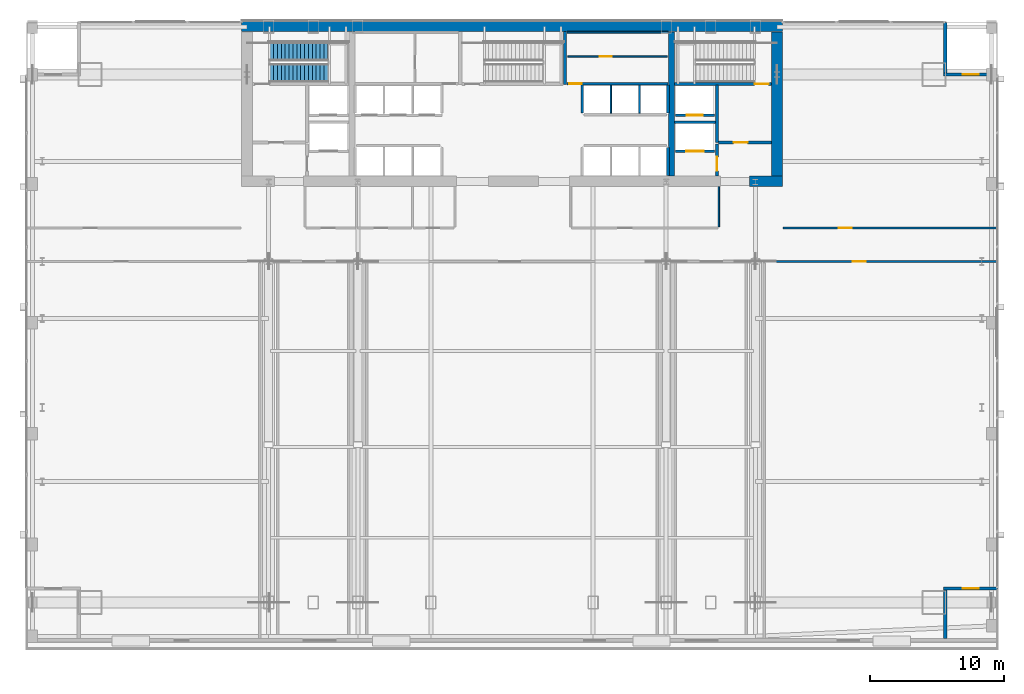
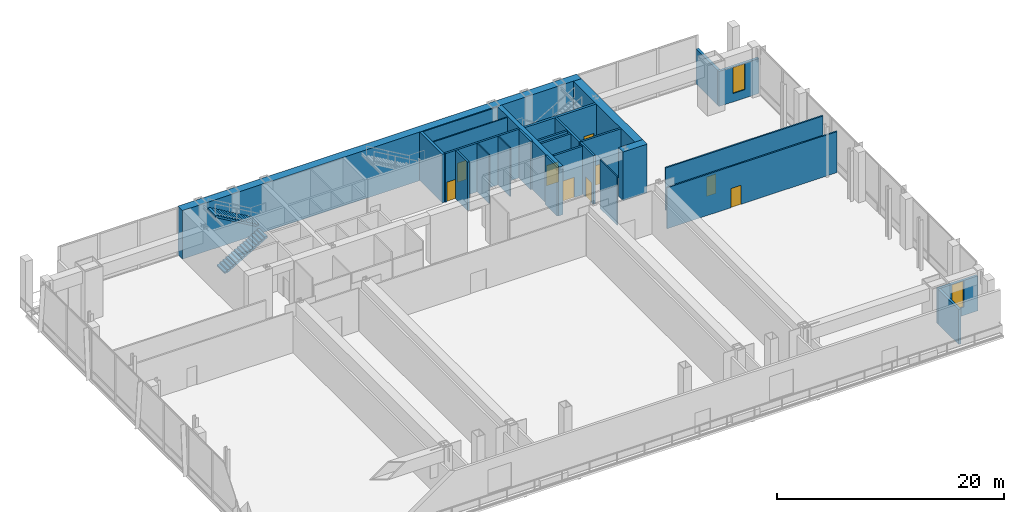
# One storey, part 22 of 26: 27 walls, 9 doors, 2 stair flights, 2 windows, 11 openings, 1 element without a shape of its own.
"""IFC4 building model written with IfcOpenShell, lengths in metres."""

from ifc_helpers import new_model, si_unit, direction, frame, frame_2d, origin, place, context, subcontext, project, spatial, polyline, rectangle, outline, extrude, material, layer, layer_set, type_object, element, fill, aggregate, save


model = new_model("IFC4")

# Units and contexts
model_context = context("Model", 3, precision=1e-05, world=origin(), true_north=direction((0.0, 1.0)))
body_context = subcontext(model_context, "Body", "Model", "MODEL_VIEW")
ifc_project = project(units=[si_unit("LENGTHUNIT", "METRE"), si_unit("AREAUNIT", "SQUARE_METRE"), si_unit("VOLUMEUNIT", "CUBIC_METRE"), si_unit("PLANEANGLEUNIT", "RADIAN"), si_unit("MASSUNIT", "GRAM", prefix="KILO")], contexts=[model_context])

# Site, building, storey
site_placement = place(None, origin())
site = spatial("IfcSite", under=ifc_project, at=site_placement, CompositionType="ELEMENT")
building_placement = place(site_placement, origin())
building = spatial("IfcBuilding", under=site, at=building_placement, Name="Khoronbel Lancet Exchange", CompositionType="ELEMENT")
storey_placement = place(building_placement, frame((0.0, 0.0, 20.39990234375)))
storey = spatial("IfcBuildingStorey", under=building, at=storey_placement, Name="L04", CompositionType="ELEMENT", Elevation=20.39990234375)

# Walls
ifc_material_1 = material(Name="Concrete C80/95", Category="concrete")
ifc_layer_1 = layer(ifc_material_1, 0.800048828125, Name="Concrete C80/95")
ifc_layer_set_1 = layer_set([ifc_layer_1], Name="Concrete C80/95")
wall_type_1 = type_object("IfcWallType", Name="WL-CW1", PredefinedType="SHEAR", material=ifc_layer_set_1)
wall_1_placement = place(storey_placement, frame((16.199951171875, 53.300048828125, 0.0), z_axis=(0.0, 0.0, 1.0), x_axis=(1.0, 0.0, 0.0)))
element("IfcWall", 1, at=wall_1_placement, inside=storey, type_object=wall_type_1, Name="Level L04 rear core north shear wall", PredefinedType="SHEAR", context=body_context, shape_type="SweptSolid", body=[
    extrude(rectangle(XDim=40.5, YDim=0.800048828125, at=frame_2d((20.25, 0.0))), origin(), (0.0, 0.0, 1.0), 5.22021484375),
])
wall_2_placement = place(storey_placement, frame((56.300048828125, 52.89990234375, 0.0), z_axis=(0.0, 0.0, 1.0), x_axis=(0.0, -1.0, 0.0)))
element("IfcWall", 2, at=wall_2_placement, inside=storey, type_object=wall_type_1, Name="Level L04 rear core east shear wall", PredefinedType="SHEAR", context=body_context, shape_type="SweptSolid", body=[
    extrude(rectangle(XDim=10.7998046875, YDim=0.800048828125, at=frame_2d((5.39990234375, 0.0))), origin(), (0.0, 0.0, 1.0), 5.22021484375),
])
wall_3_placement = place(storey_placement, frame((56.699951171875, 41.699951171875, 0.0), z_axis=(0.0, 0.0, 1.0), x_axis=(-1.0, 0.0, 0.0)))
element("IfcWall", 3, at=wall_3_placement, inside=storey, type_object=wall_type_1, Name="Level L04 rear core south shear wall pier P5", PredefinedType="SHEAR", context=body_context, shape_type="SweptSolid", body=[
    extrude(rectangle(XDim=2.449951171875, YDim=0.800048828125, at=frame_2d((1.22509765625, 0.0))), origin(), (0.0, 0.0, 1.0), 5.22021484375),
])

# Wall, opening, window
ifc_material_2 = material(Name="Precast concrete C40/50", Category="concrete")
ifc_layer_2 = layer(ifc_material_2, 0.25, Name="Precast concrete C40/50")
ifc_layer_set_2 = layer_set([ifc_layer_2], Name="Precast concrete C40/50")
wall_type_2 = type_object("IfcWallType", Name="WL-EXT250", PredefinedType="SOLIDWALL", material=ifc_layer_set_2)
wall_4_placement = place(storey_placement, frame((68.77490234375, 49.699951171875, 0.0), z_axis=(0.0, 0.0, 1.0), x_axis=(1.0, 0.0, 0.0)))
wall_4 = element("IfcWall", 4, at=wall_4_placement, inside=storey, type_object=wall_type_2, Name="Level L04 corner notch exterior wall NEL4", PredefinedType="SOLIDWALL", context=body_context, shape_type="SweptSolid", body=[
    extrude(rectangle(XDim=4.045166015625, YDim=0.25, at=frame_2d((2.0224609375, 0.0))), origin(), (0.0, 0.0, 1.0), 3.760009765625),
])
opening_1_placement = place(wall_4_placement, frame((1.422607421875, 0.0, 0.89990234375)))
opening_1 = element("IfcOpeningElement", 5, at=opening_1_placement, cuts=wall_4, Name="Opening W2", PredefinedType="OPENING", context=body_context, shape_type="SweptSolid", body=[
    extrude(rectangle(XDim=1.199951171875, YDim=2.800048828125, at=frame_2d((0.60009765625, 1.39990234375))), frame((0.0, 0.135009765625, 0.0), z_axis=(0.0, -1.0, 0.0), x_axis=(1.0, 0.0, 0.0)), (0.0, 0.0, 1.0), 0.27001953125),
])
ifc_material_3 = material(Name="Low-E Solar Control Insulating Glass", Category="glass")
window_type = type_object("IfcWindowType", Name="WIN-W2", PartitioningType="SINGLE_PANEL", PredefinedType="WINDOW", material=ifc_material_3)
window_1_placement = place(opening_1_placement, origin())
window_1 = element("IfcWindow", 6, at=window_1_placement, inside=storey, type_object=window_type, Name="WIN-L04-NEL4", OverallHeight=2.800048828125, OverallWidth=1.199951171875, PartitioningType="SINGLE_PANEL", PredefinedType="WINDOW", context=body_context, shape_type="SweptSolid", body=[
    extrude(rectangle(XDim=1.199951171875, YDim=2.800048828125, at=frame_2d((0.60009765625, 1.39990234375))), frame((0.0, 0.030029296875, 0.0), z_axis=(0.0, -1.0, 0.0), x_axis=(1.0, 0.0, 0.0)), (0.0, 0.0, 1.0), 0.06005859375),
])
fill(opening_1, window_1)

wall_5_placement = place(storey_placement, frame((72.820068359375, 11.199951171875, 0.0), z_axis=(0.0, 0.0, 1.0), x_axis=(-1.0, 0.0, 0.0)))
wall_5 = element("IfcWall", 7, at=wall_5_placement, inside=storey, type_object=wall_type_2, Name="Level L04 corner notch exterior wall SEL4", PredefinedType="SOLIDWALL", context=body_context, shape_type="SweptSolid", body=[
    extrude(rectangle(XDim=4.045166015625, YDim=0.25, at=frame_2d((2.0224609375, 0.0))), origin(), (0.0, 0.0, 1.0), 3.760009765625),
])
opening_2_placement = place(wall_5_placement, frame((1.422607421875, 0.0, 0.89990234375)))
opening_2 = element("IfcOpeningElement", 8, at=opening_2_placement, cuts=wall_5, Name="Opening W2", PredefinedType="OPENING", context=body_context, shape_type="SweptSolid", body=[
    extrude(rectangle(XDim=1.199951171875, YDim=2.800048828125, at=frame_2d((0.60009765625, 1.39990234375))), frame((0.0, 0.135009765625, 0.0), z_axis=(0.0, -1.0, 0.0), x_axis=(1.0, 0.0, 0.0)), (0.0, 0.0, 1.0), 0.27001953125),
])
window_2_placement = place(opening_2_placement, origin())
window_2 = element("IfcWindow", 9, at=window_2_placement, inside=storey, type_object=window_type, Name="WIN-L04-SEL4", OverallHeight=2.800048828125, OverallWidth=1.199951171875, PartitioningType="SINGLE_PANEL", PredefinedType="WINDOW", context=body_context, shape_type="SweptSolid", body=[
    extrude(rectangle(XDim=1.199951171875, YDim=2.800048828125, at=frame_2d((0.60009765625, 1.39990234375))), frame((0.0, 0.030029296875, 0.0), z_axis=(0.0, -1.0, 0.0), x_axis=(1.0, 0.0, 0.0)), (0.0, 0.0, 1.0), 0.06005859375),
])
fill(opening_2, window_2)

# Walls
wall_6_placement = place(storey_placement, frame((68.89990234375, 53.6201171875, 0.0), z_axis=(0.0, 0.0, 1.0), x_axis=(0.0, -1.0, 0.0)))
element("IfcWall", 10, at=wall_6_placement, inside=storey, type_object=wall_type_2, Name="Level L04 corner notch exterior wall NEV4", PredefinedType="SOLIDWALL", context=body_context, shape_type="SweptSolid", body=[
    extrude(rectangle(XDim=3.795166015625, YDim=0.25, at=frame_2d((1.8974609375, 0.0))), origin(), (0.0, 0.0, 1.0), 3.760009765625),
])
wall_7_placement = place(storey_placement, frame((68.89990234375, 11.074951171875, 0.0), z_axis=(0.0, 0.0, 1.0), x_axis=(0.0, -1.0, 0.0)))
element("IfcWall", 11, at=wall_7_placement, inside=storey, type_object=wall_type_2, Name="Level L04 corner notch exterior wall SEV4", PredefinedType="SOLIDWALL", context=body_context, shape_type="SweptSolid", body=[
    extrude(rectangle(XDim=3.625, YDim=0.25, at=frame_2d((1.8125, 0.0))), origin(), (0.0, 0.0, 1.0), 3.760009765625),
])
ifc_material_4 = material(Name="Acoustic Metal-Stud & Mineral-Wool Gypsum Partition 120 mm", Category="gypsum")
ifc_layer_3 = layer(ifc_material_4, 0.1201171875, Name="Acoustic Metal-Stud & Mineral-Wool Gypsum Partition 120 mm")
ifc_layer_set_3 = layer_set([ifc_layer_3], Name="Acoustic Metal-Stud & Mineral-Wool Gypsum Partition 120 mm")
wall_type_3 = type_object("IfcWallType", Name="WL-PRT120", PredefinedType="PARTITIONING", material=ifc_layer_set_3)
wall_8_placement = place(storey_placement, frame((51.949951171875, 38.280029296875, 0.0), z_axis=(0.0, 0.0, 1.0), x_axis=(0.0, 1.0, 0.0)))
element("IfcWall", 12, at=wall_8_placement, inside=storey, type_object=wall_type_3, Name="Level L04 interior partition PW-L04-NP1", PredefinedType="PARTITIONING", context=body_context, shape_type="SweptSolid", body=[
    extrude(rectangle(XDim=3.02001953125, YDim=0.1201171875, at=frame_2d((1.510009765625, 0.0))), origin(), (0.0, 0.0, 1.0), 5.22021484375),
])
ifc_material_5 = material(Name="Fire-Rated Metal-Stud & Mineral-Wool Gypsum Partition 120 mm", Category="gypsum")
ifc_layer_4 = layer(ifc_material_5, 0.1201171875, Name="Fire-Rated Metal-Stud & Mineral-Wool Gypsum Partition 120 mm")
ifc_layer_set_4 = layer_set([ifc_layer_4], Name="Fire-Rated Metal-Stud & Mineral-Wool Gypsum Partition 120 mm")
wall_type_4 = type_object("IfcWallType", Name="WL-PRT120F", PredefinedType="PARTITIONING", material=ifc_layer_set_4)
for number, where, z_axis, x_axis, name in (
    (13, (43.860107421875, 46.804931640625, 0.0), (0.0, 0.0, 1.0), (0.0, 1.0, 0.0), "Level L04 interior partition CW-PH-D1"),
    (14, (46.0, 46.804931640625, 0.0), (0.0, 0.0, 1.0), (0.0, 1.0, 0.0), "Level L04 interior partition CW-PH-D2"),
):
    element("IfcWall", number, at=place(storey_placement, frame(where, z_axis=z_axis, x_axis=x_axis)), inside=storey, type_object=wall_type_4, Name=name, PredefinedType="PARTITIONING", context=body_context, shape_type="SweptSolid", body=[
        extrude(rectangle(XDim=2.090087890625, YDim=0.1201171875, at=frame_2d((1.044921875, 0.0))), origin(), (0.0, 0.0, 1.0), 5.22021484375),
    ])
wall_9_placement = place(storey_placement, frame((40.580078125, 52.860107421875, 0.0), z_axis=(0.0, 0.0, 1.0), x_axis=(1.0, 0.0, 0.0)))
element("IfcWall", 15, at=wall_9_placement, inside=storey, type_object=wall_type_4, Name="Level L04 interior partition CW-SUP-NE-N", PredefinedType="PARTITIONING", context=body_context, shape_type="SweptSolid", body=[
    extrude(rectangle(XDim=7.559814453125, YDim=0.1201171875, at=frame_2d((3.77978515625, 0.0))), origin(), (0.0, 0.0, 1.0), 5.22021484375),
])

# Wall, opening, door
wall_10_placement = place(storey_placement, frame((40.6298828125, 51.0400390625, 0.0), z_axis=(0.0, 0.0, 1.0), x_axis=(1.0, 0.0, 0.0)))
wall_10 = element("IfcWall", 16, at=wall_10_placement, inside=storey, type_object=wall_type_4, Name="Level L04 interior partition CW-SUP-NE-H", PredefinedType="PARTITIONING", context=body_context, shape_type="SweptSolid", body=[
    extrude(rectangle(XDim=7.460205078125, YDim=0.1201171875, at=frame_2d((3.72998046875, 0.0))), origin(), (0.0, 0.0, 1.0), 5.22021484375),
])
opening_3_placement = place(wall_10_placement, frame((2.39990234375, 0.0, 0.0)))
opening_3 = element("IfcOpeningElement", 17, at=opening_3_placement, cuts=wall_10, Name="Opening FD4", PredefinedType="OPENING", context=body_context, shape_type="SweptSolid", body=[
    extrude(rectangle(XDim=0.89990234375, YDim=2.050048828125, at=frame_2d((0.449951171875, 1.02490234375))), frame((0.0, 0.070068359375, 0.0), z_axis=(0.0, -1.0, 0.0), x_axis=(1.0, 0.0, 0.0)), (0.0, 0.0, 1.0), 0.14013671875),
])
ifc_material_6 = material(Name="Fire-Rated Steel Core Support Door Assembly", Category="steel")
door_type_1 = type_object("IfcDoorType", Name="DR-FD4", OperationType="NOTDEFINED", PredefinedType="DOOR", material=ifc_material_6)
door_1_placement = place(opening_3_placement, origin())
door_1 = element("IfcDoor", 18, at=door_1_placement, inside=storey, type_object=door_type_1, Name="Core NE north store door L04-1", OperationType="SINGLE_SWING_LEFT", OverallHeight=2.050048828125, OverallWidth=0.89990234375, PredefinedType="DOOR", context=body_context, shape_type="SweptSolid", body=[
    extrude(rectangle(XDim=0.89990234375, YDim=2.050048828125, at=frame_2d((0.449951171875, 1.02490234375))), frame((0.0, 0.02490234375, 0.0), z_axis=(0.0, -1.0, 0.0), x_axis=(1.0, 0.0, 0.0)), (0.0, 0.0, 1.0), 0.050048828125),
])
fill(opening_3, door_1)

ifc_material_7 = material(Name="Fire-Rated Twin-Stud Acoustic Gypsum Partition 150 mm", Category="gypsum")
ifc_layer_5 = layer(ifc_material_7, 0.14990234375, Name="Fire-Rated Twin-Stud Acoustic Gypsum Partition 150 mm")
ifc_layer_set_5 = layer_set([ifc_layer_5], Name="Fire-Rated Twin-Stud Acoustic Gypsum Partition 150 mm")
wall_type_5 = type_object("IfcWallType", Name="WL-PRT150C", PredefinedType="PARTITIONING", material=ifc_layer_set_5)
wall_11_placement = place(storey_placement, frame((55.455078125, 35.699951171875, 0.0), z_axis=(0.0, 0.0, 1.0), x_axis=(1.0, 0.0, 0.0)))
wall_11 = element("IfcWall", 19, at=wall_11_placement, inside=storey, type_object=wall_type_5, Name="Level L04 interior partition PW-L04-S5", PredefinedType="PARTITIONING", context=body_context, shape_type="SweptSolid", body=[
    extrude(rectangle(XDim=17.264892578125, YDim=0.14990234375, at=frame_2d((8.63232421875, 0.0))), origin(), (0.0, 0.0, 1.0), 4.41015625),
])
opening_4_placement = place(wall_11_placement, frame((6.5, 0.0, 0.0)))
opening_4 = element("IfcOpeningElement", 20, at=opening_4_placement, cuts=wall_11, Name="Opening D2", PredefinedType="OPENING", context=body_context, shape_type="SweptSolid", body=[
    extrude(rectangle(XDim=1.0, YDim=2.050048828125, at=frame_2d((0.5, 1.02490234375))), frame((0.0, 0.0849609375, 0.0), z_axis=(0.0, -1.0, 0.0), x_axis=(1.0, 0.0, 0.0)), (0.0, 0.0, 1.0), 0.169921875),
])
ifc_material_8 = material(Name="Acoustic Veneered Timber & Bronze Frame Door", Category="wood")
door_type_2 = type_object("IfcDoorType", Name="DR-D2", OperationType="NOTDEFINED", PredefinedType="DOOR", material=ifc_material_8)
door_2_placement = place(opening_4_placement, origin())
door_2 = element("IfcDoor", 21, at=door_2_placement, inside=storey, type_object=door_type_2, Name="East terrace club door L04-1", OperationType="SINGLE_SWING_LEFT", OverallHeight=2.050048828125, OverallWidth=1.0, PredefinedType="DOOR", context=body_context, shape_type="SweptSolid", body=[
    extrude(rectangle(XDim=1.0, YDim=2.050048828125, at=frame_2d((0.5, 1.02490234375))), frame((0.0, 0.02490234375, 0.0), z_axis=(0.0, -1.0, 0.0), x_axis=(1.0, 0.0, 0.0)), (0.0, 0.0, 1.0), 0.050048828125),
])
fill(opening_4, door_2)

wall_12_placement = place(storey_placement, frame((56.739990234375, 38.199951171875, 0.0), z_axis=(0.0, 0.0, 1.0), x_axis=(1.0, 0.0, 0.0)))
wall_12 = element("IfcWall", 22, at=wall_12_placement, inside=storey, type_object=wall_type_5, Name="Level L04 interior partition PW-L04-NE", PredefinedType="PARTITIONING", context=body_context, shape_type="SweptSolid", body=[
    extrude(rectangle(XDim=15.97998046875, YDim=0.14990234375, at=frame_2d((7.989990234375, 0.0))), origin(), (0.0, 0.0, 1.0), 4.56005859375),
])
opening_5_placement = place(wall_12_placement, frame((4.199951171875, 0.0, 0.0)))
opening_5 = element("IfcOpeningElement", 23, at=opening_5_placement, cuts=wall_12, Name="Opening FD3", PredefinedType="OPENING", context=body_context, shape_type="SweptSolid", body=[
    extrude(rectangle(XDim=0.949951171875, YDim=2.10009765625, at=frame_2d((0.47509765625, 1.050048828125))), frame((0.0, 0.0849609375, 0.0), z_axis=(0.0, -1.0, 0.0), x_axis=(1.0, 0.0, 0.0)), (0.0, 0.0, 1.0), 0.169921875),
])
ifc_material_9 = material(Name="Fire-Rated Steel Plant & Riser Door Assembly", Category="steel")
door_type_3 = type_object("IfcDoorType", Name="DR-FD3", OperationType="NOTDEFINED", PredefinedType="DOOR", material=ifc_material_9)
door_3_placement = place(opening_5_placement, origin())
door_3 = element("IfcDoor", 24, at=door_3_placement, inside=storey, type_object=door_type_3, Name="L04 CRAC plant door L04-1", OperationType="SINGLE_SWING_RIGHT", OverallHeight=2.10009765625, OverallWidth=0.949951171875, PredefinedType="DOOR", context=body_context, shape_type="SweptSolid", body=[
    extrude(rectangle(XDim=0.949951171875, YDim=2.10009765625, at=frame_2d((0.47509765625, 1.050048828125))), frame((0.0, 0.02490234375, 0.0), z_axis=(0.0, -1.0, 0.0), x_axis=(1.0, 0.0, 0.0)), (0.0, 0.0, 1.0), 0.050048828125),
])
fill(opening_5, door_3)

ifc_material_10 = material(Name="Autoclaved Aerated Concrete Blockwork 200 mm", Category="masonry")
ifc_layer_6 = layer(ifc_material_10, 0.199951171875, Name="Autoclaved Aerated Concrete Blockwork 200 mm")
ifc_layer_set_6 = layer_set([ifc_layer_6], Name="Autoclaved Aerated Concrete Blockwork 200 mm")
wall_type_6 = type_object("IfcWallType", Name="WL-PRT200", PredefinedType="PARTITIONING", material=ifc_layer_set_6)
wall_13_placement = place(storey_placement, frame((51.610107421875, 43.949951171875, 0.0), z_axis=(0.0, 0.0, 1.0), x_axis=(-1.0, 0.0, 0.0)))
wall_13 = element("IfcWall", 25, at=wall_13_placement, inside=storey, type_object=wall_type_6, Name="Level L04 elevator hoistway landing front wall SVLE", PredefinedType="PARTITIONING", context=body_context, shape_type="SweptSolid", body=[
    extrude(rectangle(XDim=2.920166015625, YDim=0.199951171875, at=frame_2d((1.4599609375, 0.0))), origin(), (0.0, 0.0, 1.0), 5.22021484375),
])
opening_6_placement = place(wall_13_placement, frame((0.81005859375, 0.0, 0.0)))
opening_6 = element("IfcOpeningElement", 26, at=opening_6_placement, cuts=wall_13, Name="Opening LD-SVL2", PredefinedType="OPENING", context=body_context, shape_type="SweptSolid", body=[
    extrude(rectangle(XDim=1.300048828125, YDim=2.179931640625, at=frame_2d((0.64990234375, 1.08984375))), frame((0.0, 0.10986328125, 0.0), z_axis=(0.0, -1.0, 0.0), x_axis=(1.0, 0.0, 0.0)), (0.0, 0.0, 1.0), 0.219970703125),
])
ifc_material_11 = material(Name="Heavy-Duty Bi-Parting Goods Lift Landing Door", Category="steel")
door_type_4 = type_object("IfcDoorType", Name="DR-LD-SVL", OperationType="NOTDEFINED", PredefinedType="DOOR", material=ifc_material_11)
door_4_placement = place(opening_6_placement, origin())
door_4 = element("IfcDoor", 27, at=door_4_placement, inside=storey, type_object=door_type_4, Name="Elevator landing sliding door LD-SVL2 L04", OperationType="SLIDING_TO_LEFT", OverallHeight=2.179931640625, OverallWidth=1.300048828125, PredefinedType="DOOR", context=body_context, shape_type="SweptSolid", body=[
    extrude(rectangle(XDim=1.300048828125, YDim=2.179931640625, at=frame_2d((0.64990234375, 1.08984375))), frame((0.0, 0.02490234375, 0.0), z_axis=(0.0, -1.0, 0.0), x_axis=(1.0, 0.0, 0.0)), (0.0, 0.0, 1.0), 0.050048828125),
])
fill(opening_6, door_4)

wall_14_placement = place(storey_placement, frame((51.610107421875, 46.64990234375, 0.0), z_axis=(0.0, 0.0, 1.0), x_axis=(-1.0, 0.0, 0.0)))
wall_14 = element("IfcWall", 28, at=wall_14_placement, inside=storey, type_object=wall_type_6, Name="Level L04 elevator hoistway landing front wall FFLE", PredefinedType="PARTITIONING", context=body_context, shape_type="SweptSolid", body=[
    extrude(rectangle(XDim=2.920166015625, YDim=0.199951171875, at=frame_2d((1.4599609375, 0.0))), origin(), (0.0, 0.0, 1.0), 5.22021484375),
])
opening_7_placement = place(wall_14_placement, frame((0.860107421875, 0.0, 0.0)))
opening_7 = element("IfcOpeningElement", 29, at=opening_7_placement, cuts=wall_14, Name="Opening LD-FFL2", PredefinedType="OPENING", context=body_context, shape_type="SweptSolid", body=[
    extrude(rectangle(XDim=1.199951171875, YDim=2.179931640625, at=frame_2d((0.60009765625, 1.08984375))), frame((0.0, 0.10986328125, 0.0), z_axis=(0.0, -1.0, 0.0), x_axis=(1.0, 0.0, 0.0)), (0.0, 0.0, 1.0), 0.219970703125),
])
ifc_material_12 = material(Name="Fire-Rated Stainless Bi-Parting Firefighting Lift Door", Category="steel")
door_type_5 = type_object("IfcDoorType", Name="DR-LD-FFL", OperationType="NOTDEFINED", PredefinedType="DOOR", material=ifc_material_12)
door_5_placement = place(opening_7_placement, origin())
door_5 = element("IfcDoor", 30, at=door_5_placement, inside=storey, type_object=door_type_5, Name="Elevator landing sliding door LD-FFL2 L04", OperationType="SLIDING_TO_LEFT", OverallHeight=2.179931640625, OverallWidth=1.199951171875, PredefinedType="DOOR", context=body_context, shape_type="SweptSolid", body=[
    extrude(rectangle(XDim=1.199951171875, YDim=2.179931640625, at=frame_2d((0.60009765625, 1.08984375))), frame((0.0, 0.02490234375, 0.0), z_axis=(0.0, -1.0, 0.0), x_axis=(1.0, 0.0, 0.0)), (0.0, 0.0, 1.0), 0.050048828125),
])
fill(opening_7, door_5)

# Wall
wall_15_placement = place(storey_placement, frame((51.800048828125, 44.60009765625, 0.0), z_axis=(0.0, 0.0, 1.0), x_axis=(0.0, 1.0, 0.0)))
element("IfcWall", 31, at=wall_15_placement, inside=storey, type_object=wall_type_6, Name="Level L04 interior partition CW-FFLE-W", PredefinedType="PARTITIONING", context=body_context, shape_type="SweptSolid", body=[
    extrude(rectangle(XDim=4.2998046875, YDim=0.199951171875, at=frame_2d((2.14990234375, 0.0))), origin(), (0.0, 0.0, 1.0), 5.22021484375),
])

# Wall, opening, door
wall_16_placement = place(storey_placement, frame((51.89990234375, 44.60009765625, 0.0), z_axis=(0.0, 0.0, 1.0), x_axis=(1.0, 0.0, 0.0)))
wall_16 = element("IfcWall", 32, at=wall_16_placement, inside=storey, type_object=wall_type_6, Name="Level L04 interior partition CW-FFLE-S", PredefinedType="PARTITIONING", context=body_context, shape_type="SweptSolid", body=[
    extrude(rectangle(XDim=4.0, YDim=0.199951171875, at=frame_2d((2.0, 0.0))), origin(), (0.0, 0.0, 1.0), 5.22021484375),
])
opening_8_placement = place(wall_16_placement, frame((1.14990234375, 0.0, 0.0)))
opening_8 = element("IfcOpeningElement", 33, at=opening_8_placement, cuts=wall_16, Name="Opening FD1", PredefinedType="OPENING", context=body_context, shape_type="SweptSolid", body=[
    extrude(rectangle(XDim=1.050048828125, YDim=2.14990234375, at=frame_2d((0.52490234375, 1.074951171875))), frame((0.0, 0.10986328125, 0.0), z_axis=(0.0, -1.0, 0.0), x_axis=(1.0, 0.0, 0.0)), (0.0, 0.0, 1.0), 0.219970703125),
])
ifc_material_13 = material(Name="Fire-Rated Painted Steel Door Assembly", Category="steel")
door_type_6 = type_object("IfcDoorType", Name="DR-FD1", OperationType="NOTDEFINED", PredefinedType="DOOR", material=ifc_material_13)
door_6_placement = place(opening_8_placement, origin())
door_6 = element("IfcDoor", 34, at=door_6_placement, inside=storey, type_object=door_type_6, Name="East firefighting lobby FD90S door L04-1", OperationType="SINGLE_SWING_RIGHT", OverallHeight=2.14990234375, OverallWidth=1.050048828125, PredefinedType="DOOR", context=body_context, shape_type="SweptSolid", body=[
    extrude(rectangle(XDim=1.050048828125, YDim=2.14990234375, at=frame_2d((0.52490234375, 1.074951171875))), frame((0.0, 0.02490234375, 0.0), z_axis=(0.0, -1.0, 0.0), x_axis=(1.0, 0.0, 0.0)), (0.0, 0.0, 1.0), 0.050048828125),
])
fill(opening_8, door_6)

# Wall
wall_17_placement = place(storey_placement, frame((48.6298828125, 46.1201171875, 0.0), z_axis=(0.0, 0.0, 1.0), x_axis=(1.0, 0.0, 0.0)))
element("IfcWall", 35, at=wall_17_placement, inside=storey, type_object=wall_type_6, Name="Level L04 interior partition CW-FFL2-S", PredefinedType="PARTITIONING", context=body_context, shape_type="SweptSolid", body=[
    extrude(rectangle(XDim=3.070068359375, YDim=0.199951171875, at=frame_2d((1.53515625, 0.0))), origin(), (0.0, 0.0, 1.0), 5.22021484375),
])

# Wall, opening, door
wall_18_placement = place(storey_placement, frame((51.800048828125, 42.10009765625, 0.0), z_axis=(0.0, 0.0, 1.0), x_axis=(0.0, 1.0, 0.0)))
wall_18 = element("IfcWall", 36, at=wall_18_placement, inside=storey, type_object=wall_type_6, Name="Level L04 interior partition CW-SVLE-E", PredefinedType="PARTITIONING", context=body_context, shape_type="SweptSolid", body=[
    extrude(rectangle(XDim=2.39501953125, YDim=0.199951171875, at=frame_2d((1.197509765625, 0.0))), origin(), (0.0, 0.0, 1.0), 5.22021484375),
])
opening_9_placement = place(wall_18_placement, frame((0.3798828125, 0.0, 0.0)))
opening_9 = element("IfcOpeningElement", 37, at=opening_9_placement, cuts=wall_18, Name="Opening FD1", PredefinedType="OPENING", context=body_context, shape_type="SweptSolid", body=[
    extrude(rectangle(XDim=1.050048828125, YDim=2.14990234375, at=frame_2d((0.52490234375, 1.074951171875))), frame((0.0, 0.10986328125, 0.0), z_axis=(0.0, -1.0, 0.0), x_axis=(1.0, 0.0, 0.0)), (0.0, 0.0, 1.0), 0.219970703125),
])
door_7_placement = place(opening_9_placement, origin())
door_7 = element("IfcDoor", 38, at=door_7_placement, inside=storey, type_object=door_type_6, Name="East service lift lobby door L04-1", OperationType="SINGLE_SWING_LEFT", OverallHeight=2.14990234375, OverallWidth=1.050048828125, PredefinedType="DOOR", context=body_context, shape_type="SweptSolid", body=[
    extrude(rectangle(XDim=1.050048828125, YDim=2.14990234375, at=frame_2d((0.52490234375, 1.074951171875))), frame((0.0, 0.02490234375, 0.0), z_axis=(0.0, -1.0, 0.0), x_axis=(1.0, 0.0, 0.0)), (0.0, 0.0, 1.0), 0.050048828125),
])
fill(opening_9, door_7)

# Walls
for number, where, z_axis, x_axis, name in (
    (39, (41.719970703125, 46.804931640625, 0.0), (0.0, 0.0, 1.0), (0.0, 1.0, 0.0), "Level L04 interior partition CW-PH-W"),
    (40, (48.139892578125, 46.804931640625, 0.0), (0.0, 0.0, 1.0), (0.0, 1.0, 0.0), "Level L04 interior partition CW-PH-E"),
):
    element("IfcWall", number, at=place(storey_placement, frame(where, z_axis=z_axis, x_axis=x_axis)), inside=storey, type_object=wall_type_6, Name=name, PredefinedType="PARTITIONING", context=body_context, shape_type="SweptSolid", body=[
        extrude(rectangle(XDim=2.090087890625, YDim=0.199951171875, at=frame_2d((1.044921875, 0.0))), origin(), (0.0, 0.0, 1.0), 5.22021484375),
    ])
wall_19_placement = place(storey_placement, frame((48.139892578125, 42.14990234375, 0.0), z_axis=(0.0, 0.0, 1.0), x_axis=(0.0, 1.0, 0.0)))
element("IfcWall", 41, at=wall_19_placement, inside=storey, type_object=wall_type_6, Name="Level L04 interior partition CW-PX-E", PredefinedType="PARTITIONING", context=body_context, shape_type="SweptSolid", body=[
    extrude(rectangle(XDim=2.09521484375, YDim=0.199951171875, at=frame_2d((1.047607421875, 0.0))), origin(), (0.0, 0.0, 1.0), 5.22021484375),
])

# Wall, opening, door
wall_20_placement = place(storey_placement, frame((40.580078125, 49.0, 0.0), z_axis=(0.0, 0.0, 1.0), x_axis=(1.0, 0.0, 0.0)))
wall_20 = element("IfcWall", 42, at=wall_20_placement, inside=storey, type_object=wall_type_6, Name="Level L04 interior partition CW-SUP-NE-S", PredefinedType="PARTITIONING", context=body_context, shape_type="SweptSolid", body=[
    extrude(rectangle(XDim=7.559814453125, YDim=0.199951171875, at=frame_2d((3.77978515625, 0.0))), origin(), (0.0, 0.0, 1.0), 5.22021484375),
])
opening_10_placement = place(wall_20_placement, frame((0.159912109375, 0.0, 0.0)))
opening_10 = element("IfcOpeningElement", 43, at=opening_10_placement, cuts=wall_20, Name="Opening FD3", PredefinedType="OPENING", context=body_context, shape_type="SweptSolid", body=[
    extrude(rectangle(XDim=0.949951171875, YDim=2.10009765625, at=frame_2d((0.47509765625, 1.050048828125))), frame((0.0, 0.10986328125, 0.0), z_axis=(0.0, -1.0, 0.0), x_axis=(1.0, 0.0, 0.0)), (0.0, 0.0, 1.0), 0.219970703125),
])
door_8_placement = place(opening_10_placement, origin())
door_8 = element("IfcDoor", 44, at=door_8_placement, inside=storey, type_object=door_type_3, Name="Core NE support room door L04-1", OperationType="SINGLE_SWING_RIGHT", OverallHeight=2.10009765625, OverallWidth=0.949951171875, PredefinedType="DOOR", context=body_context, shape_type="SweptSolid", body=[
    extrude(rectangle(XDim=0.949951171875, YDim=2.10009765625, at=frame_2d((0.47509765625, 1.050048828125))), frame((0.0, 0.02490234375, 0.0), z_axis=(0.0, -1.0, 0.0), x_axis=(1.0, 0.0, 0.0)), (0.0, 0.0, 1.0), 0.050048828125),
])
fill(opening_10, door_8)

# Walls
ifc_layer_7 = layer(ifc_material_1, 0.449951171875, Name="Concrete C80/95")
ifc_layer_set_7 = layer_set([ifc_layer_7], Name="Concrete C80/95")
wall_type_7 = type_object("IfcWallType", Name="WL-SW1", PredefinedType="SHEAR", material=ifc_layer_set_7)
wall_21_placement = place(storey_placement, frame((48.39990234375, 42.10009765625, 0.0), z_axis=(0.0, 0.0, 1.0), x_axis=(0.0, 1.0, 0.0)))
element("IfcWall", 45, at=wall_21_placement, inside=storey, type_object=wall_type_7, Name="Level L04 rear core internal spine shear wall IE", PredefinedType="SHEAR", context=body_context, shape_type="SweptSolid", body=[
    extrude(rectangle(XDim=10.7998046875, YDim=0.449951171875, at=frame_2d((5.39990234375, 0.0))), origin(), (0.0, 0.0, 1.0), 5.22021484375),
])
ifc_material_14 = material(Name="Concrete C60/75", Category="concrete")
ifc_layer_8 = layer(ifc_material_14, 0.260009765625, Name="Concrete C60/75")
ifc_layer_set_8 = layer_set([ifc_layer_8], Name="Concrete C60/75")
wall_type_8 = type_object("IfcWallType", Name="WL-SW3", PredefinedType="SHEAR", material=ifc_layer_set_8)
wall_22_placement = place(storey_placement, frame((40.419921875, 48.949951171875, 0.0), z_axis=(0.0, 0.0, 1.0), x_axis=(0.0, 1.0, 0.0)))
element("IfcWall", 46, at=wall_22_placement, inside=storey, type_object=wall_type_8, Name="Level L04 central stairwell structural shear wall ST3E", PredefinedType="SHEAR", context=body_context, shape_type="SweptSolid", body=[
    extrude(rectangle(XDim=3.949951171875, YDim=0.260009765625, at=frame_2d((1.97509765625, 0.0))), origin(), (0.0, 0.0, 1.0), 5.22021484375),
])

# Wall, opening, door
wall_23_placement = place(storey_placement, frame((48.6298828125, 48.97998046875, 0.0), z_axis=(0.0, 0.0, 1.0), x_axis=(1.0, 0.0, 0.0)))
wall_23 = element("IfcWall", 47, at=wall_23_placement, inside=storey, type_object=wall_type_8, Name="Level L04 east stairwell structural south wall", PredefinedType="SHEAR", context=body_context, shape_type="SweptSolid", body=[
    extrude(rectangle(XDim=7.27001953125, YDim=0.239990234375, at=frame_2d((3.635009765625, 0.0))), origin(), (0.0, 0.0, 1.0), 5.22021484375),
])
opening_11_placement = place(wall_23_placement, frame((6.0, 0.0, 0.0)))
opening_11 = element("IfcOpeningElement", 48, at=opening_11_placement, cuts=wall_23, Name="Opening SD1", PredefinedType="OPENING", context=body_context, shape_type="SweptSolid", body=[
    extrude(rectangle(XDim=1.050048828125, YDim=2.14990234375, at=frame_2d((0.52490234375, 1.074951171875))), frame((0.0, 0.1298828125, 0.0), z_axis=(0.0, -1.0, 0.0), x_axis=(1.0, 0.0, 0.0)), (0.0, 0.0, 1.0), 0.260009765625),
])
ifc_material_15 = material(Name="Fire-Rated Steel Stairwell Door Assembly", Category="steel")
door_type_7 = type_object("IfcDoorType", Name="DR-SD1", OperationType="NOTDEFINED", PredefinedType="DOOR", material=ifc_material_15)
door_9_placement = place(opening_11_placement, origin())
door_9 = element("IfcDoor", 49, at=door_9_placement, inside=storey, type_object=door_type_7, Name="Protected exit stair ST2 door L04", OperationType="SINGLE_SWING_RIGHT", OverallHeight=2.14990234375, OverallWidth=1.050048828125, PredefinedType="DOOR", context=body_context, shape_type="SweptSolid", body=[
    extrude(rectangle(XDim=1.050048828125, YDim=2.14990234375, at=frame_2d((0.52490234375, 1.074951171875))), frame((0.0, 0.02490234375, 0.0), z_axis=(0.0, -1.0, 0.0), x_axis=(1.0, 0.0, 0.0)), (0.0, 0.0, 1.0), 0.050048828125),
])
fill(opening_11, door_9)

# Stair, stair flights
ifc_material_16 = material(Name="Concrete C40/50", Category="concrete")
stair_type = type_object("IfcStairType", Name="STR-CORE150", PredefinedType="HALF_TURN_STAIR", material=ifc_material_16)
stair_placement = place(storey_placement, origin())
stair = element("IfcStair", 50, at=stair_placement, inside=storey, type_object=stair_type, Name="L04 Protected Exit Stair ST1", PredefinedType="HALF_TURN_STAIR")
stair_flight_type = type_object("IfcStairFlightType", Name="STF-150", PredefinedType="STRAIGHT", material=ifc_material_16)
stair_flight_1_placement = place(storey_placement, frame((18.300048828125, 49.81005859375, 0.0), z_axis=(0.0, 0.0, 1.0), x_axis=(1.0, 0.0, 0.0)))
stair_flight_1 = element("IfcStairFlight", 51, at=stair_flight_1_placement, type_object=stair_flight_type, Name="ST1 flight 1", NumberOfRisers=16, NumberOfTreads=15, PredefinedType="STRAIGHT", RiserHeight=0.16875, TreadLength=0.29, context=body_context, shape_type="SweptSolid", body=[
    extrude(outline(polyline([(0.0, 0.0), (0.0, 0.168701171875), (0.2900390625, 0.168701171875), (0.2900390625, 0.33740234375), (0.580078125, 0.33740234375), (0.580078125, 0.50634765625), (0.8701171875, 0.50634765625), (0.8701171875, 0.675048828125), (1.159912109375, 0.675048828125), (1.159912109375, 0.84375), (1.449951171875, 0.84375), (1.449951171875, 1.012451171875), (1.739990234375, 1.012451171875), (1.739990234375, 1.18115234375), (2.030029296875, 1.18115234375), (2.030029296875, 1.35009765625), (2.320068359375, 1.35009765625), (2.320068359375, 1.518798828125), (2.610107421875, 1.518798828125), (2.610107421875, 1.6875), (2.89990234375, 1.6875), (2.89990234375, 1.856201171875), (3.18994140625, 1.856201171875), (3.18994140625, 2.02490234375), (3.47998046875, 2.02490234375), (3.47998046875, 2.19384765625), (3.77001953125, 2.19384765625), (3.77001953125, 2.362548828125), (4.06005859375, 2.362548828125), (4.06005859375, 2.53125), (4.35009765625, 2.53125), (4.35009765625, 2.699951171875), (4.35009765625, 2.35791015625), (0.298095703125, 0.0), (0.0, 0.0)])), frame((0.0, 0.68994140625, 0.0), z_axis=(0.0, -1.0, 0.0), x_axis=(1.0, 0.0, 0.0)), (0.0, 0.0, 1.0), 1.3798828125),
])
stair_flight_2_placement = place(storey_placement, frame((22.64990234375, 51.409912109375, 2.7001953125), z_axis=(0.0, 0.0, 1.0), x_axis=(-1.0, 0.0, 0.0)))
stair_flight_2 = element("IfcStairFlight", 52, at=stair_flight_2_placement, type_object=stair_flight_type, Name="ST1 flight 2", NumberOfRisers=16, NumberOfTreads=15, PredefinedType="STRAIGHT", RiserHeight=0.16875, TreadLength=0.29, context=body_context, shape_type="SweptSolid", body=[
    extrude(outline(polyline([(0.0, 0.0), (0.0, 0.168701171875), (0.2900390625, 0.168701171875), (0.2900390625, 0.33740234375), (0.580078125, 0.33740234375), (0.580078125, 0.50634765625), (0.8701171875, 0.50634765625), (0.8701171875, 0.675048828125), (1.159912109375, 0.675048828125), (1.159912109375, 0.84375), (1.449951171875, 0.84375), (1.449951171875, 1.012451171875), (1.739990234375, 1.012451171875), (1.739990234375, 1.18115234375), (2.030029296875, 1.18115234375), (2.030029296875, 1.35009765625), (2.320068359375, 1.35009765625), (2.320068359375, 1.518798828125), (2.610107421875, 1.518798828125), (2.610107421875, 1.6875), (2.89990234375, 1.6875), (2.89990234375, 1.856201171875), (3.18994140625, 1.856201171875), (3.18994140625, 2.02490234375), (3.47998046875, 2.02490234375), (3.47998046875, 2.19384765625), (3.77001953125, 2.19384765625), (3.77001953125, 2.362548828125), (4.06005859375, 2.362548828125), (4.06005859375, 2.53125), (4.35009765625, 2.53125), (4.35009765625, 2.699951171875), (4.35009765625, 2.35791015625), (0.298095703125, 0.0), (0.0, 0.0)])), frame((0.0, 0.68994140625, 0.0), z_axis=(0.0, -1.0, 0.0), x_axis=(1.0, 0.0, 0.0)), (0.0, 0.0, 1.0), 1.3798828125),
])
aggregate(stair, [stair_flight_1, stair_flight_2])

save(model, "model.ifc")
